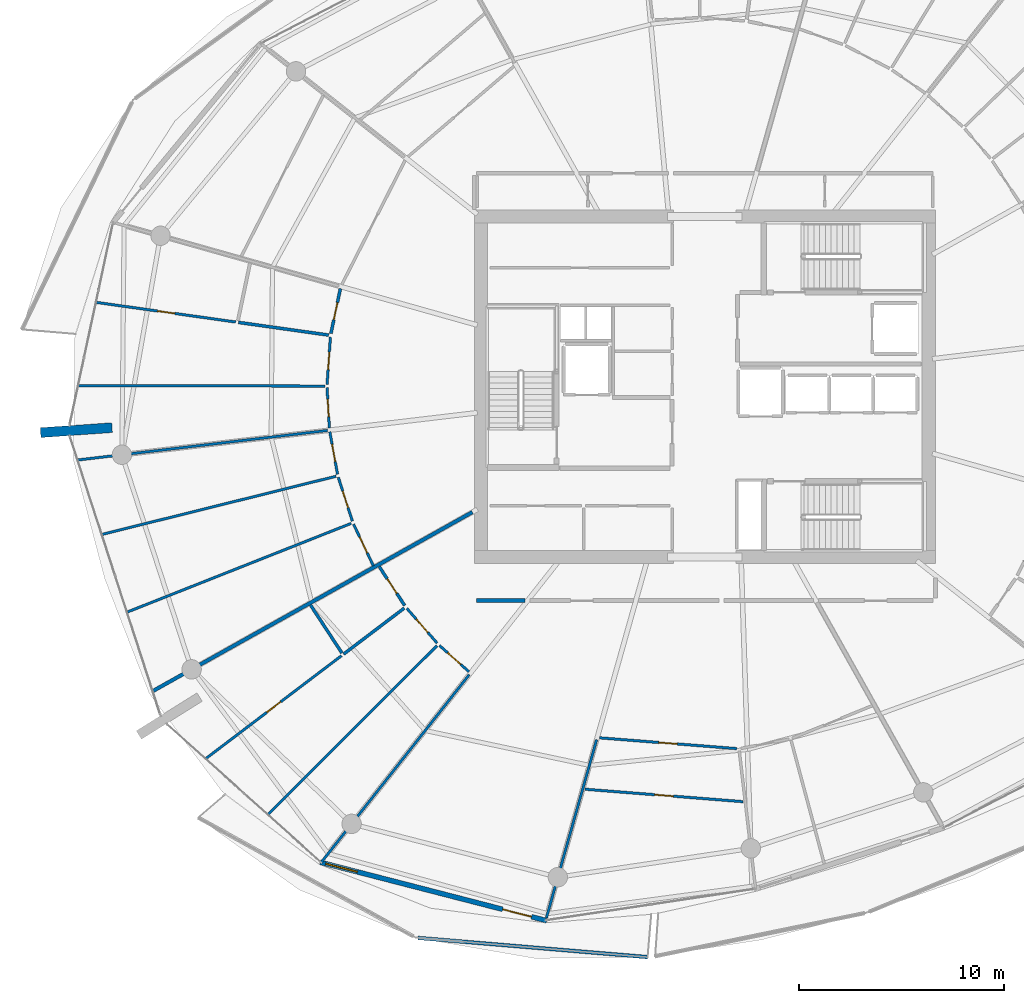
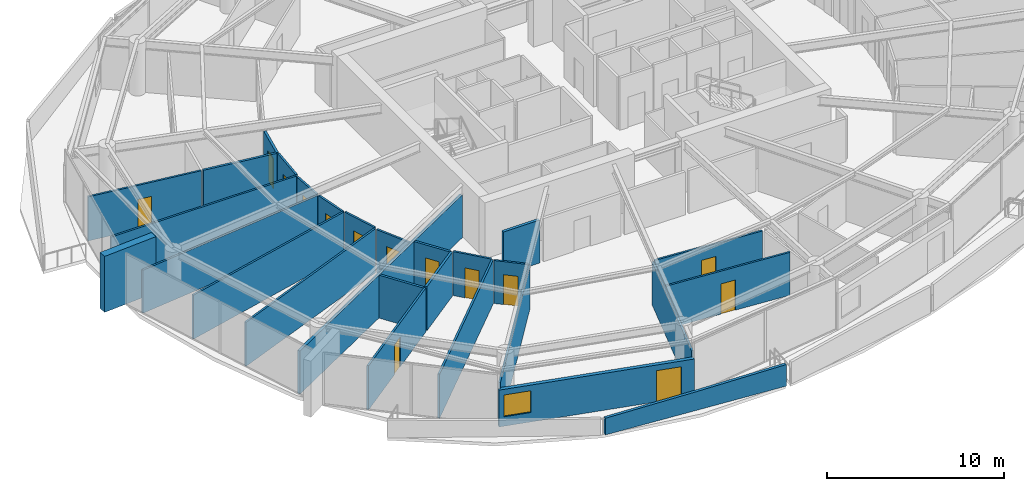
# One storey, part 18 of 31: 28 walls, 14 doors, 1 window, 15 openings.
"""IFC4 building model written with IfcOpenShell, lengths in metres."""

from ifc_helpers import new_model, si_unit, direction, frame, frame_2d, origin, place, context, subcontext, project, spatial, polyline, rectangle, outline, extrude, material, layer, layer_set, type_object, element, fill, save


model = new_model("IFC4")

# Units and contexts
model_context = context("Model", 3, precision=1e-05, world=origin(), true_north=direction((0.0, 1.0)))
body_context = subcontext(model_context, "Body", "Model", "MODEL_VIEW")
ifc_project = project(units=[si_unit("LENGTHUNIT", "METRE"), si_unit("AREAUNIT", "SQUARE_METRE"), si_unit("VOLUMEUNIT", "CUBIC_METRE"), si_unit("PLANEANGLEUNIT", "RADIAN"), si_unit("MASSUNIT", "GRAM", prefix="KILO")], contexts=[model_context])

# Site, building, storey
site_placement = place(None, origin())
site = spatial("IfcSite", under=ifc_project, at=site_placement, CompositionType="ELEMENT")
building_placement = place(site_placement, origin())
building = spatial("IfcBuilding", under=site, at=building_placement, Name="Kazma Halo Residences", CompositionType="ELEMENT")
storey_placement = place(building_placement, frame((0.0, 0.0, 259.800048828125)))
storey = spatial("IfcBuildingStorey", under=building, at=storey_placement, Name="L65", CompositionType="ELEMENT", Elevation=259.800048828125)

# Walls
ifc_material_1 = material(Name="White Concrete C50/60 Balustrade", Category="concrete")
ifc_layer_1 = layer(ifc_material_1, 0.179931640625)
ifc_layer_set_1 = layer_set([ifc_layer_1], Name="White Concrete C50/60 Balustrade")
wall_type_1 = type_object("IfcWallType", Name="WL-BAL-WAVE-180", PredefinedType="PARAPET", material=ifc_layer_set_1)
wall_1_placement = place(storey_placement, frame((34.39453125, 15.05322265625, 0.0), z_axis=(0.0, 0.0, 1.0), x_axis=(0.99651583667, -0.083403760507, 0.0)))
element("IfcWall", 1, at=wall_1_placement, inside=storey, type_object=wall_type_1, Name="L65 white wave balustrade wall SW.2", PredefinedType="PARAPET", context=body_context, shape_type="SweptSolid", body=[
    extrude(outline(polyline([(0.0, 0.0), (11.278564453125, 0.0), (11.2783203125, 1.48291015625), (5.63916015625, 1.283935546875), (0.0, 1.14794921875), (0.0, 0.0)])), frame((0.0, 0.08984375, 0.0), z_axis=(0.0, -1.0, 0.0), x_axis=(1.0, 0.0, 0.0)), (0.0, 0.0, 1.0), 0.179931640625),
])
ifc_material_2 = material(Name="Pale Concrete C60/75", Category="concrete")
ifc_layer_2 = layer(ifc_material_2, 0.47998046875)
ifc_layer_set_2 = layer_set([ifc_layer_2], Name="Pale Concrete C60/75")
wall_type_2 = type_object("IfcWallType", Name="WL-BLADE-480", PredefinedType="SOLIDWALL", material=ifc_layer_set_2)
wall_2_placement = place(storey_placement, frame((19.4375, 40.002685546875, 0.0), z_axis=(0.0, 0.0, 1.0), x_axis=(-0.997563824095, -0.069759707979, 0.0)))
element("IfcWall", 2, at=wall_2_placement, inside=storey, type_object=wall_type_2, Name="L65 pale concrete structural blade fin wall BW-02", PredefinedType="SOLIDWALL", context=body_context, shape_type="SweptSolid", body=[
    extrude(rectangle(XDim=3.499755859375, YDim=0.47998046875, at=frame_2d((1.75, 0.0))), origin(), (0.0, 0.0, 1.0), 3.849853515625),
])
ifc_material_3 = material(Name="Acoustic Twin-Stud Gypsum")
ifc_layer_3 = layer(ifc_material_3, 0.179931640625)
ifc_layer_set_3 = layer_set([ifc_layer_3], Name="Acoustic Twin-Stud Gypsum")
wall_type_3 = type_object("IfcWallType", Name="WL-DEM-180", PredefinedType="PARTITIONING", material=ifc_layer_set_3)
wall_3_placement = place(storey_placement, frame((37.053955078125, 35.8701171875, 0.0), z_axis=(0.0, 0.0, 1.0), x_axis=(-0.872490186067, -0.488631635506, 0.0)))
element("IfcWall", 3, at=wall_3_placement, inside=storey, type_object=wall_type_3, Name="L65 apartment demising radial wall 08", PredefinedType="PARTITIONING", context=body_context, shape_type="SweptSolid", body=[
    extrude(rectangle(XDim=17.88427734375, YDim=0.179931640625, at=frame_2d((8.942138671875, 0.0))), origin(), (0.0, 0.0, 1.0), 2.95703125),
])
wall_4_placement = place(storey_placement, frame((37.27001953125, 31.550048828125, 0.0), z_axis=(0.0, 0.0, 1.0), x_axis=(1.0, 0.0, 0.0)))
element("IfcWall", 4, at=wall_4_placement, inside=storey, type_object=wall_type_3, Name="L65 Apartment 2 inner wall 8", PredefinedType="PARTITIONING", context=body_context, shape_type="SweptSolid", body=[
    extrude(rectangle(XDim=2.371826171875, YDim=0.179931640625, at=frame_2d((1.18603515625, 0.0))), origin(), (0.0, 0.0, 1.0), 2.95703125),
])

# Wall, openings, door, window
ifc_material_4 = material(Name="Insulated Pale-Metal Composite Wall")
ifc_layer_4 = layer(ifc_material_4, 0.239990234375)
ifc_layer_set_4 = layer_set([ifc_layer_4], Name="Insulated Pale-Metal Composite Wall")
wall_type_4 = type_object("IfcWallType", Name="WL-EXT-HOST-240", PredefinedType="SOLIDWALL", material=ifc_layer_set_4)
wall_5_placement = place(storey_placement, frame((29.613525390625, 18.7509765625, 0.0), z_axis=(0.0, 0.0, 1.0), x_axis=(0.968343758421, -0.249620442927, 0.0)))
wall_5 = element("IfcWall", 5, at=wall_5_placement, inside=storey, type_object=wall_type_4, Name="L65 exterior terrace-access wall B10", PredefinedType="SOLIDWALL", context=body_context, shape_type="SweptSolid", body=[
    extrude(rectangle(XDim=11.438232421875, YDim=0.239990234375, at=frame_2d((5.71923828125, 0.0))), origin(), (0.0, 0.0, 1.0), 2.5400390625),
])
opening_1_placement = place(wall_5_placement, frame((9.21826171875, 0.0, 0.0)))
opening_1 = element("IfcOpeningElement", 6, at=opening_1_placement, cuts=wall_5, Name="Opening DTR-1600", PredefinedType="OPENING", context=body_context, shape_type="SweptSolid", body=[
    extrude(rectangle(XDim=1.449951171875, YDim=2.14990234375, at=frame_2d((0.72509765625, 1.074951171875))), frame((0.0, 0.1298828125, 0.0), z_axis=(0.0, -1.0, 0.0), x_axis=(1.0, 0.0, 0.0)), (0.0, 0.0, 1.0), 0.260009765625),
])
opening_2_placement = place(wall_5_placement, frame((0.280029296875, 0.0, 0.64990234375)))
opening_2 = element("IfcOpeningElement", 7, at=opening_2_placement, cuts=wall_5, Name="Opening W-1800", PredefinedType="OPENING", context=body_context, shape_type="SweptSolid", body=[
    extrude(rectangle(XDim=1.60009765625, YDim=1.5, at=frame_2d((0.800048828125, 0.75))), frame((0.0, 0.1298828125, 0.0), z_axis=(0.0, -1.0, 0.0), x_axis=(1.0, 0.0, 0.0)), (0.0, 0.0, 1.0), 0.260009765625),
])
ifc_material_5 = material(Name="Aluminium AW-6063 T6 Double-Glazed Terrace Door", Category="aluminium")
door_type_1 = type_object("IfcDoorType", Name="DR-EXT-TERR-1600", OperationType="NOTDEFINED", PredefinedType="DOOR", material=ifc_material_5)
door_1_placement = place(opening_1_placement, origin())
door_1 = element("IfcDoor", 8, at=door_1_placement, inside=storey, type_object=door_type_1, Name="L65 B10 balcony terrace door", OperationType="DOUBLE_DOOR_SLIDING", OverallHeight=2.14990234375, OverallWidth=1.449951171875, PredefinedType="DOOR", context=body_context, shape_type="SweptSolid", body=[
    extrude(rectangle(XDim=1.449951171875, YDim=2.14990234375, at=frame_2d((0.72509765625, 1.074951171875))), frame((0.0, 0.02490234375, 0.0), z_axis=(0.0, -1.0, 0.0), x_axis=(1.0, 0.0, 0.0)), (0.0, 0.0, 1.0), 0.050048828125),
])
fill(opening_1, door_1)
ifc_material_6 = material(Name="Clear Triple-Silver Low-E Glass in Aluminium AW-6063 T6 Frame", Category="aluminium")
window_type = type_object("IfcWindowType", Name="WIN-RES-1800", PartitioningType="DOUBLE_PANEL_VERTICAL", PredefinedType="WINDOW", material=ifc_material_6)
window_placement = place(opening_2_placement, origin())
window = element("IfcWindow", 9, at=window_placement, inside=storey, type_object=window_type, Name="L65 B10 apartment window", OverallHeight=1.5, OverallWidth=1.60009765625, PartitioningType="SINGLE_PANEL", PredefinedType="WINDOW", context=body_context, shape_type="SweptSolid", body=[
    extrude(rectangle(XDim=1.60009765625, YDim=1.5, at=frame_2d((0.800048828125, 0.75))), frame((0.0, 0.030029296875, 0.0), z_axis=(0.0, -1.0, 0.0), x_axis=(1.0, 0.0, 0.0)), (0.0, 0.0, 1.0), 0.06005859375),
])
fill(opening_2, window)

# Wall, opening, door
ifc_material_7 = material(Name="Gypsum Plasterboard Partition")
ifc_layer_5 = layer(ifc_material_7, 0.125)
ifc_layer_set_5 = layer_set([ifc_layer_5], Name="Gypsum Plasterboard Partition")
wall_type_5 = type_object("IfcWallType", Name="WL-PART-125", PredefinedType="PARTITIONING", material=ifc_layer_set_5)
wall_6_placement = place(storey_placement, frame((25.48779296875, 45.167724609375, 0.0), z_axis=(0.0, 0.0, 1.0), x_axis=(-0.990239896804, 0.139373407717, 0.0)))
wall_6 = element("IfcWall", 10, at=wall_6_placement, inside=storey, type_object=wall_type_5, Name="L65 Apartment 1 Outer Walk-In Wardrobe partition wall", PredefinedType="PARTITIONING", context=body_context, shape_type="SweptSolid", body=[
    extrude(rectangle(XDim=6.877197265625, YDim=0.125, at=frame_2d((3.4384765625, 0.0))), origin(), (0.0, 0.0, 1.0), 3.030029296875),
])
opening_3_placement = place(wall_6_placement, frame((3.013671875, 0.0, 0.0)))
opening_3 = element("IfcOpeningElement", 11, at=opening_3_placement, cuts=wall_6, Name="Opening DB-900", PredefinedType="OPENING", context=body_context, shape_type="SweptSolid", body=[
    extrude(rectangle(XDim=0.85009765625, YDim=2.06005859375, at=frame_2d((0.425048828125, 1.030029296875))), frame((0.0, 0.072509765625, 0.0), z_axis=(0.0, -1.0, 0.0), x_axis=(1.0, 0.0, 0.0)), (0.0, 0.0, 1.0), 0.14501953125),
])
ifc_material_8 = material(Name="Moisture-Sealed Timber Leaf", Category="wood")
door_type_2 = type_object("IfcDoorType", Name="DR-BTH-900", OperationType="NOTDEFINED", PredefinedType="DOOR", material=ifc_material_8)
door_2_placement = place(opening_3_placement, origin())
door_2 = element("IfcDoor", 12, at=door_2_placement, inside=storey, type_object=door_type_2, Name="L65 Apartment 1 Outer Walk-In Wardrobe door", OperationType="SINGLE_SWING_LEFT", OverallHeight=2.06005859375, OverallWidth=0.85009765625, PredefinedType="DOOR", context=body_context, shape_type="SweptSolid", body=[
    extrude(rectangle(XDim=0.85009765625, YDim=2.06005859375, at=frame_2d((0.425048828125, 1.030029296875))), frame((0.0, 0.02490234375, 0.0), z_axis=(0.0, -1.0, 0.0), x_axis=(1.0, 0.0, 0.0)), (0.0, 0.0, 1.0), 0.050048828125),
])
fill(opening_3, door_2)

# Wall
wall_7_placement = place(storey_placement, frame((29.85595703125, 42.035888671875, 0.0), z_axis=(0.0, 0.0, 1.0), x_axis=(-0.999998028993, 0.001985449601, 0.0)))
element("IfcWall", 13, at=wall_7_placement, inside=storey, type_object=wall_type_5, Name="L65 Apartment 1 suite divider 6", PredefinedType="PARTITIONING", context=body_context, shape_type="SweptSolid", body=[
    extrude(rectangle(XDim=12.050537109375, YDim=0.125, at=frame_2d((6.025390625, 0.0))), origin(), (0.0, 0.0, 1.0), 3.030029296875),
])

# Wall, opening, door
wall_8_placement = place(storey_placement, frame((30.11572265625, 44.426025390625, 0.0), z_axis=(0.0, 0.0, 1.0), x_axis=(-0.07082759095, -0.997488572546, 0.0)))
wall_8 = element("IfcWall", 14, at=wall_8_placement, inside=storey, type_object=wall_type_5, Name="L65 Apartment 1 Corner Formal Dining Room hall wall", PredefinedType="PARTITIONING", context=body_context, shape_type="SweptSolid", body=[
    extrude(rectangle(XDim=2.31640625, YDim=0.125, at=frame_2d((1.158203125, 0.0))), origin(), (0.0, 0.0, 1.0), 3.030029296875),
])
opening_4_placement = place(wall_8_placement, frame((0.733154296875, 0.0, 0.0)))
opening_4 = element("IfcOpeningElement", 15, at=opening_4_placement, cuts=wall_8, Name="Opening DB-900", PredefinedType="OPENING", context=body_context, shape_type="SweptSolid", body=[
    extrude(rectangle(XDim=0.85009765625, YDim=2.06005859375, at=frame_2d((0.425048828125, 1.030029296875))), frame((0.0, 0.072509765625, 0.0), z_axis=(0.0, -1.0, 0.0), x_axis=(1.0, 0.0, 0.0)), (0.0, 0.0, 1.0), 0.14501953125),
])
door_3_placement = place(opening_4_placement, origin())
door_3 = element("IfcDoor", 16, at=door_3_placement, inside=storey, type_object=door_type_2, Name="L65 Apartment 1 Corner Formal Dining Room door", OperationType="SINGLE_SWING_RIGHT", OverallHeight=2.06005859375, OverallWidth=0.85009765625, PredefinedType="DOOR", context=body_context, shape_type="SweptSolid", body=[
    extrude(rectangle(XDim=0.85009765625, YDim=2.06005859375, at=frame_2d((0.425048828125, 1.030029296875))), frame((0.0, 0.02490234375, 0.0), z_axis=(0.0, -1.0, 0.0), x_axis=(1.0, 0.0, 0.0)), (0.0, 0.0, 1.0), 0.050048828125),
])
fill(opening_4, door_3)

wall_9_placement = place(storey_placement, frame((29.95068359375, 41.955810546875, 0.0), z_axis=(0.0, 0.0, 1.0), x_axis=(0.057790197943, -0.998328749973, 0.0)))
wall_9 = element("IfcWall", 17, at=wall_9_placement, inside=storey, type_object=wall_type_5, Name="L65 Apartment 1 Garden Master Bedroom hall wall", PredefinedType="PARTITIONING", context=body_context, shape_type="SweptSolid", body=[
    extrude(rectangle(XDim=1.9814453125, YDim=0.125, at=frame_2d((0.99072265625, 0.0))), origin(), (0.0, 0.0, 1.0), 2.95703125),
])
opening_5_placement = place(wall_9_placement, frame((0.565673828125, 0.0, 0.0)))
opening_5 = element("IfcOpeningElement", 18, at=opening_5_placement, cuts=wall_9, Name="Opening DB-900", PredefinedType="OPENING", context=body_context, shape_type="SweptSolid", body=[
    extrude(rectangle(XDim=0.85009765625, YDim=2.06005859375, at=frame_2d((0.425048828125, 1.030029296875))), frame((0.0, 0.072509765625, 0.0), z_axis=(0.0, -1.0, 0.0), x_axis=(1.0, 0.0, 0.0)), (0.0, 0.0, 1.0), 0.14501953125),
])
door_4_placement = place(opening_5_placement, origin())
door_4 = element("IfcDoor", 19, at=door_4_placement, inside=storey, type_object=door_type_2, Name="L65 Apartment 1 Garden Master Bedroom door", OperationType="SINGLE_SWING_LEFT", OverallHeight=2.06005859375, OverallWidth=0.85009765625, PredefinedType="DOOR", context=body_context, shape_type="SweptSolid", body=[
    extrude(rectangle(XDim=0.85009765625, YDim=2.06005859375, at=frame_2d((0.425048828125, 1.030029296875))), frame((0.0, 0.02490234375, 0.0), z_axis=(0.0, -1.0, 0.0), x_axis=(1.0, 0.0, 0.0)), (0.0, 0.0, 1.0), 0.050048828125),
])
fill(opening_5, door_4)

# Walls
wall_10_placement = place(storey_placement, frame((29.9716796875, 39.8662109375, 0.0), z_axis=(0.0, 0.0, 1.0), x_axis=(-0.993068089356, -0.117540503246, 0.0)))
element("IfcWall", 20, at=wall_10_placement, inside=storey, type_object=wall_type_5, Name="L65 Apartment 1 radial partition 7", PredefinedType="PARTITIONING", context=body_context, shape_type="SweptSolid", body=[
    extrude(rectangle(XDim=12.275634765625, YDim=0.125, at=frame_2d((6.1376953125, 0.0))), origin(), (0.0, 0.0, 1.0), 2.95703125),
])
wall_11_placement = place(storey_placement, frame((30.39111328125, 37.6259765625, 0.0), z_axis=(0.0, 0.0, 1.0), x_axis=(-0.970503640625, -0.24108646485, 0.0)))
element("IfcWall", 21, at=wall_11_placement, inside=storey, type_object=wall_type_5, Name="L65 Apartment 1 bay wall 1 7", PredefinedType="PARTITIONING", context=body_context, shape_type="SweptSolid", body=[
    extrude(rectangle(XDim=11.775390625, YDim=0.125, at=frame_2d((5.8876953125, 0.0))), origin(), (0.0, 0.0, 1.0), 3.030029296875),
])
wall_12_placement = place(storey_placement, frame((31.130126953125, 35.32080078125, 0.0), z_axis=(0.0, 0.0, 1.0), x_axis=(-0.929773898428, -0.368131087796, 0.0)))
element("IfcWall", 22, at=wall_12_placement, inside=storey, type_object=wall_type_5, Name="L65 Apartment 1 bay wall 2 7", PredefinedType="PARTITIONING", context=body_context, shape_type="SweptSolid", body=[
    extrude(rectangle(XDim=11.759765625, YDim=0.125, at=frame_2d((5.8798828125, 0.0))), origin(), (0.0, 0.0, 1.0), 3.030029296875),
])

# Wall, opening, door
wall_13_placement = place(storey_placement, frame((30.08544921875, 39.79931640625, 0.0), z_axis=(0.0, 0.0, 1.0), x_axis=(0.179690800857, -0.983723139957, 0.0)))
wall_13 = element("IfcWall", 23, at=wall_13_placement, inside=storey, type_object=wall_type_5, Name="L65 Apartment 1 Primary Master Bedroom hall wall", PredefinedType="PARTITIONING", context=body_context, shape_type="SweptSolid", body=[
    extrude(rectangle(XDim=2.107177734375, YDim=0.125, at=frame_2d((1.0537109375, 0.0))), origin(), (0.0, 0.0, 1.0), 2.95703125),
])
opening_6_placement = place(wall_13_placement, frame((0.628662109375, 0.0, 0.0)))
opening_6 = element("IfcOpeningElement", 24, at=opening_6_placement, cuts=wall_13, Name="Opening DB-900", PredefinedType="OPENING", context=body_context, shape_type="SweptSolid", body=[
    extrude(rectangle(XDim=0.85009765625, YDim=2.06005859375, at=frame_2d((0.425048828125, 1.030029296875))), frame((0.0, 0.072509765625, 0.0), z_axis=(0.0, -1.0, 0.0), x_axis=(1.0, 0.0, 0.0)), (0.0, 0.0, 1.0), 0.14501953125),
])
door_5_placement = place(opening_6_placement, origin())
door_5 = element("IfcDoor", 25, at=door_5_placement, inside=storey, type_object=door_type_2, Name="L65 Apartment 1 Primary Master Bedroom door", OperationType="SINGLE_SWING_RIGHT", OverallHeight=2.06005859375, OverallWidth=0.85009765625, PredefinedType="DOOR", context=body_context, shape_type="SweptSolid", body=[
    extrude(rectangle(XDim=0.85009765625, YDim=2.06005859375, at=frame_2d((0.425048828125, 1.030029296875))), frame((0.0, 0.02490234375, 0.0), z_axis=(0.0, -1.0, 0.0), x_axis=(1.0, 0.0, 0.0)), (0.0, 0.0, 1.0), 0.050048828125),
])
fill(opening_6, door_5)

wall_14_placement = place(storey_placement, frame((30.5029296875, 37.5712890625, 0.0), z_axis=(0.0, 0.0, 1.0), x_axis=(0.305327243998, -0.952247485727, 0.0)))
wall_14 = element("IfcWall", 26, at=wall_14_placement, inside=storey, type_object=wall_type_5, Name="L65 Apartment 1 Secondary Dressing Wardrobe hall wall", PredefinedType="PARTITIONING", context=body_context, shape_type="SweptSolid", body=[
    extrude(rectangle(XDim=2.24853515625, YDim=0.125, at=frame_2d((1.124267578125, 0.0))), origin(), (0.0, 0.0, 1.0), 3.030029296875),
])
opening_7_placement = place(wall_14_placement, frame((0.69921875, 0.0, 0.0)))
opening_7 = element("IfcOpeningElement", 27, at=opening_7_placement, cuts=wall_14, Name="Opening DB-900", PredefinedType="OPENING", context=body_context, shape_type="SweptSolid", body=[
    extrude(rectangle(XDim=0.85009765625, YDim=2.06005859375, at=frame_2d((0.425048828125, 1.030029296875))), frame((0.0, 0.072509765625, 0.0), z_axis=(0.0, -1.0, 0.0), x_axis=(1.0, 0.0, 0.0)), (0.0, 0.0, 1.0), 0.14501953125),
])
door_6_placement = place(opening_7_placement, origin())
door_6 = element("IfcDoor", 28, at=door_6_placement, inside=storey, type_object=door_type_2, Name="L65 Apartment 1 Secondary Dressing Wardrobe door", OperationType="SINGLE_SWING_LEFT", OverallHeight=2.06005859375, OverallWidth=0.85009765625, PredefinedType="DOOR", context=body_context, shape_type="SweptSolid", body=[
    extrude(rectangle(XDim=0.85009765625, YDim=2.06005859375, at=frame_2d((0.425048828125, 1.030029296875))), frame((0.0, 0.02490234375, 0.0), z_axis=(0.0, -1.0, 0.0), x_axis=(1.0, 0.0, 0.0)), (0.0, 0.0, 1.0), 0.050048828125),
])
fill(opening_7, door_6)

wall_15_placement = place(storey_placement, frame((31.248046875, 35.281494140625, 0.0), z_axis=(0.0, 0.0, 1.0), x_axis=(0.429406696771, -0.903111227241, 0.0)))
wall_15 = element("IfcWall", 29, at=wall_15_placement, inside=storey, type_object=wall_type_5, Name="L65 Apartment 1 East Master Bedroom hall wall", PredefinedType="PARTITIONING", context=body_context, shape_type="SweptSolid", body=[
    extrude(rectangle(XDim=2.24853515625, YDim=0.125, at=frame_2d((1.124267578125, 0.0))), origin(), (0.0, 0.0, 1.0), 2.95703125),
])
opening_8_placement = place(wall_15_placement, frame((0.699462890625, 0.0, 0.0)))
opening_8 = element("IfcOpeningElement", 30, at=opening_8_placement, cuts=wall_15, Name="Opening DB-900", PredefinedType="OPENING", context=body_context, shape_type="SweptSolid", body=[
    extrude(rectangle(XDim=0.85009765625, YDim=2.06005859375, at=frame_2d((0.425048828125, 1.030029296875))), frame((0.0, 0.072509765625, 0.0), z_axis=(0.0, -1.0, 0.0), x_axis=(1.0, 0.0, 0.0)), (0.0, 0.0, 1.0), 0.14501953125),
])
door_7_placement = place(opening_8_placement, origin())
door_7 = element("IfcDoor", 31, at=door_7_placement, inside=storey, type_object=door_type_2, Name="L65 Apartment 1 East Master Bedroom door", OperationType="SINGLE_SWING_RIGHT", OverallHeight=2.06005859375, OverallWidth=0.85009765625, PredefinedType="DOOR", context=body_context, shape_type="SweptSolid", body=[
    extrude(rectangle(XDim=0.85009765625, YDim=2.06005859375, at=frame_2d((0.425048828125, 1.030029296875))), frame((0.0, 0.02490234375, 0.0), z_axis=(0.0, -1.0, 0.0), x_axis=(1.0, 0.0, 0.0)), (0.0, 0.0, 1.0), 0.050048828125),
])
fill(opening_8, door_7)

# Wall
wall_16_placement = place(storey_placement, frame((36.9033203125, 27.924072265625, 0.0), z_axis=(0.0, 0.0, 1.0), x_axis=(-0.619090039254, -0.785320013304, 0.0)))
element("IfcWall", 32, at=wall_16_placement, inside=storey, type_object=wall_type_5, Name="L65 Apartment 2 living radial partition 8", PredefinedType="PARTITIONING", context=body_context, shape_type="SweptSolid", body=[
    extrude(rectangle(XDim=11.671630859375, YDim=0.125, at=frame_2d((5.8359375, 0.0))), origin(), (0.0, 0.0, 1.0), 2.95703125),
])

# Wall, opening, door
wall_17_placement = place(storey_placement, frame((30.657470703125, 28.8505859375, 0.0), z_axis=(0.0, 0.0, 1.0), x_axis=(-0.796843780875, -0.604185392807, 0.0)))
wall_17 = element("IfcWall", 33, at=wall_17_placement, inside=storey, type_object=wall_type_5, Name="L65 Apartment 2 Household Store Room partition wall", PredefinedType="PARTITIONING", context=body_context, shape_type="SweptSolid", body=[
    extrude(rectangle(XDim=8.318115234375, YDim=0.125, at=frame_2d((4.1591796875, 0.0))), origin(), (0.0, 0.0, 1.0), 3.030029296875),
])
opening_9_placement = place(wall_17_placement, frame((3.734130859375, 0.0, 0.0)))
opening_9 = element("IfcOpeningElement", 34, at=opening_9_placement, cuts=wall_17, Name="Opening DB-900", PredefinedType="OPENING", context=body_context, shape_type="SweptSolid", body=[
    extrude(rectangle(XDim=0.85009765625, YDim=2.06005859375, at=frame_2d((0.425048828125, 1.030029296875))), frame((0.0, 0.072509765625, 0.0), z_axis=(0.0, -1.0, 0.0), x_axis=(1.0, 0.0, 0.0)), (0.0, 0.0, 1.0), 0.14501953125),
])
door_8_placement = place(opening_9_placement, origin())
door_8 = element("IfcDoor", 35, at=door_8_placement, inside=storey, type_object=door_type_2, Name="L65 Apartment 2 Household Store Room door", OperationType="SINGLE_SWING_LEFT", OverallHeight=2.06005859375, OverallWidth=0.85009765625, PredefinedType="DOOR", context=body_context, shape_type="SweptSolid", body=[
    extrude(rectangle(XDim=0.85009765625, YDim=2.06005859375, at=frame_2d((0.425048828125, 1.030029296875))), frame((0.0, 0.02490234375, 0.0), z_axis=(0.0, -1.0, 0.0), x_axis=(1.0, 0.0, 0.0)), (0.0, 0.0, 1.0), 0.050048828125),
])
fill(opening_9, door_8)

# Wall
wall_18_placement = place(storey_placement, frame((35.326416015625, 29.339599609375, 0.0), z_axis=(0.0, 0.0, 1.0), x_axis=(-0.707472916484, -0.706740456208, 0.0)))
element("IfcWall", 36, at=wall_18_placement, inside=storey, type_object=wall_type_5, Name="L65 Apartment 2 suite divider 8", PredefinedType="PARTITIONING", context=body_context, shape_type="SweptSolid", body=[
    extrude(rectangle(XDim=11.666015625, YDim=0.125, at=frame_2d((5.8330078125, 0.0))), origin(), (0.0, 0.0, 1.0), 3.030029296875),
])

# Wall, opening, door
wall_19_placement = place(storey_placement, frame((33.856201171875, 31.1630859375, 0.0), z_axis=(0.0, 0.0, 1.0), x_axis=(0.656985315096, -0.753903372952, 0.0)))
wall_19 = element("IfcWall", 37, at=wall_19_placement, inside=storey, type_object=wall_type_5, Name="L65 Apartment 2 Gourmet Kitchen hall wall", PredefinedType="PARTITIONING", context=body_context, shape_type="SweptSolid", body=[
    extrude(rectangle(XDim=2.254638671875, YDim=0.125, at=frame_2d((1.12744140625, 0.0))), origin(), (0.0, 0.0, 1.0), 3.030029296875),
])
opening_10_placement = place(wall_19_placement, frame((0.702392578125, 0.0, 0.0)))
opening_10 = element("IfcOpeningElement", 38, at=opening_10_placement, cuts=wall_19, Name="Opening DB-900", PredefinedType="OPENING", context=body_context, shape_type="SweptSolid", body=[
    extrude(rectangle(XDim=0.85009765625, YDim=2.06005859375, at=frame_2d((0.425048828125, 1.030029296875))), frame((0.0, 0.072509765625, 0.0), z_axis=(0.0, -1.0, 0.0), x_axis=(1.0, 0.0, 0.0)), (0.0, 0.0, 1.0), 0.14501953125),
])
door_9_placement = place(opening_10_placement, origin())
door_9 = element("IfcDoor", 39, at=door_9_placement, inside=storey, type_object=door_type_2, Name="L65 Apartment 2 Gourmet Kitchen door", OperationType="SINGLE_SWING_RIGHT", OverallHeight=2.06005859375, OverallWidth=0.85009765625, PredefinedType="DOOR", context=body_context, shape_type="SweptSolid", body=[
    extrude(rectangle(XDim=0.85009765625, YDim=2.06005859375, at=frame_2d((0.425048828125, 1.030029296875))), frame((0.0, 0.02490234375, 0.0), z_axis=(0.0, -1.0, 0.0), x_axis=(1.0, 0.0, 0.0)), (0.0, 0.0, 1.0), 0.050048828125),
])
fill(opening_10, door_9)

wall_20_placement = place(storey_placement, frame((35.44970703125, 29.349853515625, 0.0), z_axis=(0.0, 0.0, 1.0), x_axis=(0.747360411924, -0.664418854857, 0.0)))
wall_20 = element("IfcWall", 40, at=wall_20_placement, inside=storey, type_object=wall_type_5, Name="L65 Apartment 2 Primary Bedroom hall wall", PredefinedType="PARTITIONING", context=body_context, shape_type="SweptSolid", body=[
    extrude(rectangle(XDim=1.927978515625, YDim=0.125, at=frame_2d((0.9638671875, 0.0))), origin(), (0.0, 0.0, 1.0), 2.95703125),
])
opening_11_placement = place(wall_20_placement, frame((0.5390625, 0.0, 0.0)))
opening_11 = element("IfcOpeningElement", 41, at=opening_11_placement, cuts=wall_20, Name="Opening DB-900", PredefinedType="OPENING", context=body_context, shape_type="SweptSolid", body=[
    extrude(rectangle(XDim=0.85009765625, YDim=2.06005859375, at=frame_2d((0.425048828125, 1.030029296875))), frame((0.0, 0.072509765625, 0.0), z_axis=(0.0, -1.0, 0.0), x_axis=(1.0, 0.0, 0.0)), (0.0, 0.0, 1.0), 0.14501953125),
])
door_10_placement = place(opening_11_placement, origin())
door_10 = element("IfcDoor", 42, at=door_10_placement, inside=storey, type_object=door_type_2, Name="L65 Apartment 2 Primary Bedroom door", OperationType="SINGLE_SWING_LEFT", OverallHeight=2.06005859375, OverallWidth=0.85009765625, PredefinedType="DOOR", context=body_context, shape_type="SweptSolid", body=[
    extrude(rectangle(XDim=0.85009765625, YDim=2.06005859375, at=frame_2d((0.425048828125, 1.030029296875))), frame((0.0, 0.02490234375, 0.0), z_axis=(0.0, -1.0, 0.0), x_axis=(1.0, 0.0, 0.0)), (0.0, 0.0, 1.0), 0.050048828125),
])
fill(opening_11, door_10)

# Wall
wall_21_placement = place(storey_placement, frame((43.134765625, 24.7490234375, 0.0), z_axis=(0.0, 0.0, 1.0), x_axis=(-0.271445445258, -0.962453827593, 0.0)))
element("IfcWall", 43, at=wall_21_placement, inside=storey, type_object=wall_type_5, Name="L65 Apartment 2 radial partition 10", PredefinedType="PARTITIONING", context=body_context, shape_type="SweptSolid", body=[
    extrude(rectangle(XDim=9.060546875, YDim=0.125, at=frame_2d((4.5302734375, 0.0))), origin(), (0.0, 0.0, 1.0), 2.95703125),
])

# Wall, opening, door
wall_22_placement = place(storey_placement, frame((43.271484375, 24.836669921875, 0.0), z_axis=(0.0, 0.0, 1.0), x_axis=(0.996915339886, -0.078484425849, 0.0)))
wall_22 = element("IfcWall", 44, at=wall_22_placement, inside=storey, type_object=wall_type_5, Name="L65 Apartment 2 East Study hall wall", PredefinedType="PARTITIONING", context=body_context, shape_type="SweptSolid", body=[
    extrude(rectangle(XDim=6.734619140625, YDim=0.125, at=frame_2d((3.3671875, 0.0))), origin(), (0.0, 0.0, 1.0), 2.95703125),
])
opening_12_placement = place(wall_22_placement, frame((2.917236328125, 0.0, 0.0)))
opening_12 = element("IfcOpeningElement", 45, at=opening_12_placement, cuts=wall_22, Name="Opening DI-950", PredefinedType="OPENING", context=body_context, shape_type="SweptSolid", body=[
    extrude(rectangle(XDim=0.89990234375, YDim=2.080078125, at=frame_2d((0.449951171875, 1.0400390625))), frame((0.0, 0.072509765625, 0.0), z_axis=(0.0, -1.0, 0.0), x_axis=(1.0, 0.0, 0.0)), (0.0, 0.0, 1.0), 0.14501953125),
])
ifc_material_9 = material(Name="Timber Veneer Flush Leaf", Category="wood")
door_type_3 = type_object("IfcDoorType", Name="DR-INT-950", OperationType="NOTDEFINED", PredefinedType="DOOR", material=ifc_material_9)
door_11_placement = place(opening_12_placement, origin())
door_11 = element("IfcDoor", 46, at=door_11_placement, inside=storey, type_object=door_type_3, Name="L65 Apartment 2 East Study door", OperationType="SINGLE_SWING_RIGHT", OverallHeight=2.080078125, OverallWidth=0.89990234375, PredefinedType="DOOR", context=body_context, shape_type="SweptSolid", body=[
    extrude(rectangle(XDim=0.89990234375, YDim=2.080078125, at=frame_2d((0.449951171875, 1.0400390625))), frame((0.0, 0.02490234375, 0.0), z_axis=(0.0, -1.0, 0.0), x_axis=(1.0, 0.0, 0.0)), (0.0, 0.0, 1.0), 0.050048828125),
])
fill(opening_12, door_11)

wall_23_placement = place(storey_placement, frame((42.5625, 22.32275390625, 0.0), z_axis=(0.0, 0.0, 1.0), x_axis=(0.996916778928, -0.078466144881, 0.0)))
wall_23 = element("IfcWall", 47, at=wall_23_placement, inside=storey, type_object=wall_type_5, Name="L65 Apartment 2 West Master Bedroom divider wall", PredefinedType="PARTITIONING", context=body_context, shape_type="SweptSolid", body=[
    extrude(rectangle(XDim=7.753662109375, YDim=0.125, at=frame_2d((3.876953125, 0.0))), origin(), (0.0, 0.0, 1.0), 2.95703125),
])
opening_13_placement = place(wall_23_placement, frame((3.427001953125, 0.0, 0.0)))
opening_13 = element("IfcOpeningElement", 48, at=opening_13_placement, cuts=wall_23, Name="Opening DI-950", PredefinedType="OPENING", context=body_context, shape_type="SweptSolid", body=[
    extrude(rectangle(XDim=0.89990234375, YDim=2.080078125, at=frame_2d((0.449951171875, 1.0400390625))), frame((0.0, 0.072509765625, 0.0), z_axis=(0.0, -1.0, 0.0), x_axis=(1.0, 0.0, 0.0)), (0.0, 0.0, 1.0), 0.14501953125),
])
door_12_placement = place(opening_13_placement, origin())
door_12 = element("IfcDoor", 49, at=door_12_placement, inside=storey, type_object=door_type_3, Name="L65 Apartment 2 West Master Bedroom door", OperationType="SINGLE_SWING_LEFT", OverallHeight=2.080078125, OverallWidth=0.89990234375, PredefinedType="DOOR", context=body_context, shape_type="SweptSolid", body=[
    extrude(rectangle(XDim=0.89990234375, YDim=2.080078125, at=frame_2d((0.449951171875, 1.0400390625))), frame((0.0, 0.02490234375, 0.0), z_axis=(0.0, -1.0, 0.0), x_axis=(1.0, 0.0, 0.0)), (0.0, 0.0, 1.0), 0.050048828125),
])
fill(opening_13, door_12)

ifc_material_10 = material(Name="Moisture-Resistant Gypsum")
ifc_layer_6 = layer(ifc_material_10, 0.14990234375)
ifc_layer_set_6 = layer_set([ifc_layer_6], Name="Moisture-Resistant Gypsum")
wall_type_6 = type_object("IfcWallType", Name="WL-WET-150", PredefinedType="PARTITIONING", material=ifc_layer_set_6)
wall_24_placement = place(storey_placement, frame((30.603271484375, 46.802734375, 0.0), z_axis=(0.0, 0.0, 1.0), x_axis=(-0.205906433606, -0.978571683935, 0.0)))
wall_24 = element("IfcWall", 50, at=wall_24_placement, inside=storey, type_object=wall_type_6, Name="L65 Apartment 1 Inner En-Suite Bathroom hall wall", PredefinedType="PARTITIONING", context=body_context, shape_type="SweptSolid", body=[
    extrude(rectangle(XDim=2.246826171875, YDim=0.14990234375, at=frame_2d((1.12353515625, 0.0))), origin(), (0.0, 0.0, 1.0), 2.95703125),
])
opening_14_placement = place(wall_24_placement, frame((0.698486328125, 0.0, 0.0)))
opening_14 = element("IfcOpeningElement", 51, at=opening_14_placement, cuts=wall_24, Name="Opening DB-900", PredefinedType="OPENING", context=body_context, shape_type="SweptSolid", body=[
    extrude(rectangle(XDim=0.85009765625, YDim=2.06005859375, at=frame_2d((0.425048828125, 1.030029296875))), frame((0.0, 0.0849609375, 0.0), z_axis=(0.0, -1.0, 0.0), x_axis=(1.0, 0.0, 0.0)), (0.0, 0.0, 1.0), 0.169921875),
])
door_13_placement = place(opening_14_placement, origin())
door_13 = element("IfcDoor", 52, at=door_13_placement, inside=storey, type_object=door_type_2, Name="L65 Apartment 1 Inner En-Suite Bathroom door", OperationType="SINGLE_SWING_RIGHT", OverallHeight=2.06005859375, OverallWidth=0.85009765625, PredefinedType="DOOR", context=body_context, shape_type="SweptSolid", body=[
    extrude(rectangle(XDim=0.85009765625, YDim=2.06005859375, at=frame_2d((0.425048828125, 1.030029296875))), frame((0.0, 0.02490234375, 0.0), z_axis=(0.0, -1.0, 0.0), x_axis=(1.0, 0.0, 0.0)), (0.0, 0.0, 1.0), 0.050048828125),
])
fill(opening_14, door_13)

# Wall
wall_25_placement = place(storey_placement, frame((30.032958984375, 44.5283203125, 0.0), z_axis=(0.0, 0.0, 1.0), x_axis=(-0.990248320871, 0.139313542101, 0.0)))
element("IfcWall", 53, at=wall_25_placement, inside=storey, type_object=wall_type_6, Name="L65 Apartment 1 Inner En-Suite Bathroom side wall", PredefinedType="PARTITIONING", context=body_context, shape_type="SweptSolid", body=[
    extrude(rectangle(XDim=4.4599609375, YDim=0.14990234375, at=frame_2d((2.22998046875, 0.0))), origin(), (0.0, 0.0, 1.0), 3.030029296875),
])

# Wall, opening, door
wall_26_placement = place(storey_placement, frame((32.50341796875, 33.20703125, 0.0), z_axis=(0.0, 0.0, 1.0), x_axis=(0.54776176335, -0.836634358972, 0.0)))
wall_26 = element("IfcWall", 54, at=wall_26_placement, inside=storey, type_object=wall_type_6, Name="L65 Apartment 2 Guest Bathroom hall wall", PredefinedType="PARTITIONING", context=body_context, shape_type="SweptSolid", body=[
    extrude(rectangle(XDim=2.271728515625, YDim=0.14990234375, at=frame_2d((1.1357421875, 0.0))), origin(), (0.0, 0.0, 1.0), 2.95703125),
])
opening_15_placement = place(wall_26_placement, frame((0.7109375, 0.0, 0.0)))
opening_15 = element("IfcOpeningElement", 55, at=opening_15_placement, cuts=wall_26, Name="Opening DB-900", PredefinedType="OPENING", context=body_context, shape_type="SweptSolid", body=[
    extrude(rectangle(XDim=0.85009765625, YDim=2.06005859375, at=frame_2d((0.425048828125, 1.030029296875))), frame((0.0, 0.0849609375, 0.0), z_axis=(0.0, -1.0, 0.0), x_axis=(1.0, 0.0, 0.0)), (0.0, 0.0, 1.0), 0.169921875),
])
door_14_placement = place(opening_15_placement, origin())
door_14 = element("IfcDoor", 56, at=door_14_placement, inside=storey, type_object=door_type_2, Name="L65 Apartment 2 Guest Bathroom door", OperationType="SINGLE_SWING_RIGHT", OverallHeight=2.06005859375, OverallWidth=0.85009765625, PredefinedType="DOOR", context=body_context, shape_type="SweptSolid", body=[
    extrude(rectangle(XDim=0.85009765625, YDim=2.06005859375, at=frame_2d((0.425048828125, 1.030029296875))), frame((0.0, 0.02490234375, 0.0), z_axis=(0.0, -1.0, 0.0), x_axis=(1.0, 0.0, 0.0)), (0.0, 0.0, 1.0), 0.050048828125),
])
fill(opening_15, door_14)

# Walls
wall_27_placement = place(storey_placement, frame((29.144287109375, 31.325927734375, 0.0), z_axis=(0.0, 0.0, 1.0), x_axis=(0.547727893033, -0.836656533587, 0.0)))
element("IfcWall", 57, at=wall_27_placement, inside=storey, type_object=wall_type_6, Name="L65 Apartment 2 Guest Bathroom back wall", PredefinedType="PARTITIONING", context=body_context, shape_type="SweptSolid", body=[
    extrude(rectangle(XDim=2.8037109375, YDim=0.14990234375, at=frame_2d((1.40185546875, 0.0))), origin(), (0.0, 0.0, 1.0), 2.95703125),
])
wall_28_placement = place(storey_placement, frame((33.725341796875, 31.1767578125, 0.0), z_axis=(0.0, 0.0, 1.0), x_axis=(-0.796854692537, -0.604171001441, 0.0)))
element("IfcWall", 58, at=wall_28_placement, inside=storey, type_object=wall_type_6, Name="L65 Apartment 2 Guest Bathroom side wall", PredefinedType="PARTITIONING", context=body_context, shape_type="SweptSolid", body=[
    extrude(rectangle(XDim=3.719970703125, YDim=0.14990234375, at=frame_2d((1.85986328125, 0.0))), origin(), (0.0, 0.0, 1.0), 3.030029296875),
])

save(model, "model.ifc")
